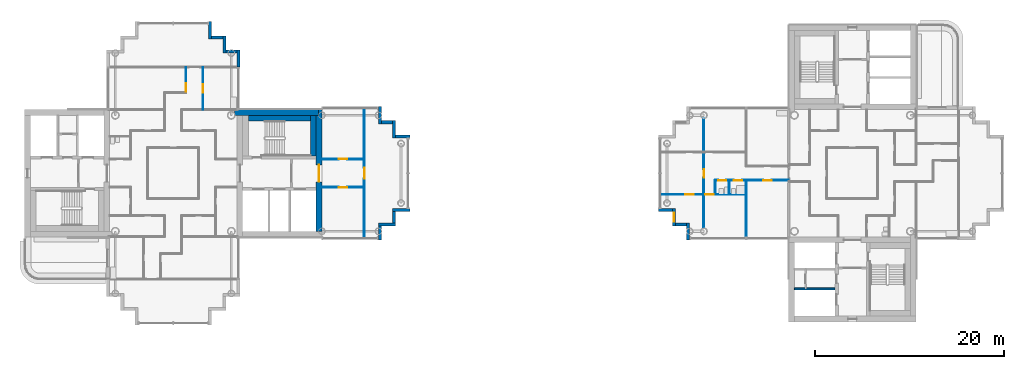
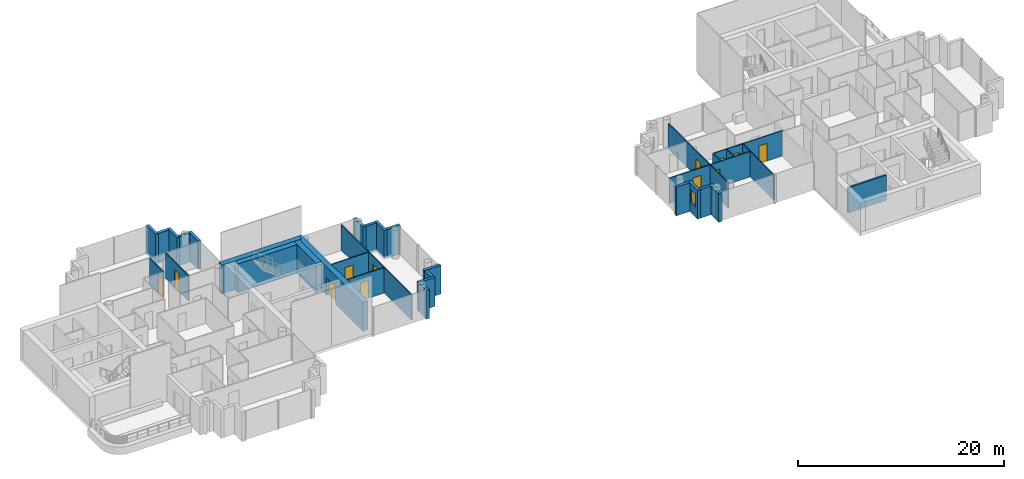
# One storey, part 8 of 18: 33 walls, 12 doors, 1 window, 13 openings.
"""IFC4 building model written with IfcOpenShell, lengths in metres."""

from ifc_helpers import new_model, si_unit, direction, frame, frame_2d, origin, place, context, subcontext, project, spatial, rectangle, extrude, material, layer, layer_set, type_object, element, fill, save


model = new_model("IFC4")

# Units and contexts
model_context = context("Model", 3, precision=1e-05, world=origin(), true_north=direction((0.0, 1.0)))
body_context = subcontext(model_context, "Body", "Model", "MODEL_VIEW")
ifc_project = project(units=[si_unit("LENGTHUNIT", "METRE"), si_unit("AREAUNIT", "SQUARE_METRE"), si_unit("VOLUMEUNIT", "CUBIC_METRE"), si_unit("PLANEANGLEUNIT", "RADIAN"), si_unit("MASSUNIT", "GRAM", prefix="KILO")], contexts=[model_context])

# Site, building, storey
site_placement = place(None, origin())
site = spatial("IfcSite", under=ifc_project, at=site_placement, CompositionType="ELEMENT")
building_placement = place(site_placement, origin())
building = spatial("IfcBuilding", under=site, at=building_placement, Name="Ipe Terrace Towers", CompositionType="ELEMENT")
storey_placement = place(building_placement, frame((0.0, 0.0, 219.800048828125)))
storey = spatial("IfcBuildingStorey", under=building, at=storey_placement, Name="L61", CompositionType="ELEMENT", Elevation=219.800048828125)

# Walls
ifc_material_1 = material(Name="Concrete C40/50 with buff precast cladding", Category="concrete")
ifc_layer_1 = layer(ifc_material_1, 0.320068359375)
ifc_layer_set_1 = layer_set([ifc_layer_1], Name="BUFF CLADDING WALL 320")
wall_type_1 = type_object("IfcWallType", Name="BUFF CLADDING WALL 320", PredefinedType="STANDARD", material=ifc_layer_set_1)
wall_1_placement = place(storey_placement, frame((-14.090087890625, -7.070068359375, -0.300048828125), z_axis=(0.0, 0.0, 1.0), x_axis=(0.0, 1.0, 0.0)))
element("IfcWall", 1, at=wall_1_placement, inside=storey, type_object=wall_type_1, Name="T1-W-L61-17a wall", PredefinedType="STANDARD", context=body_context, shape_type="SweptSolid", body=[
    extrude(rectangle(XDim=1.5, YDim=0.320068359375, at=frame_2d((0.75, 0.0))), origin(), (0.0, 0.0, 1.0), 3.39990234375),
])
wall_2_placement = place(storey_placement, frame((-14.25, -5.409912109375, -0.300048828125), z_axis=(0.0, 0.0, 1.0), x_axis=(1.0, 0.0, 0.0)))
element("IfcWall", 2, at=wall_2_placement, inside=storey, type_object=wall_type_1, Name="T1-W-L61-18a wall", PredefinedType="STANDARD", context=body_context, shape_type="SweptSolid", body=[
    extrude(rectangle(XDim=1.820068359375, YDim=0.320068359375, at=frame_2d((0.91015625, 0.0))), origin(), (0.0, 0.0, 1.0), 3.39990234375),
])
wall_3_placement = place(storey_placement, frame((-12.590087890625, -5.25, -0.300048828125), z_axis=(0.0, 0.0, 1.0), x_axis=(0.0, 1.0, 0.0)))
element("IfcWall", 3, at=wall_3_placement, inside=storey, type_object=wall_type_1, Name="T1-W-L61-19a wall", PredefinedType="STANDARD", context=body_context, shape_type="SweptSolid", body=[
    extrude(rectangle(XDim=1.179931640625, YDim=0.320068359375, at=frame_2d((0.58984375, 0.0))), origin(), (0.0, 0.0, 1.0), 3.39990234375),
])
wall_4_placement = place(storey_placement, frame((-12.75, -3.909912109375, -0.300048828125), z_axis=(0.0, 0.0, 1.0), x_axis=(1.0, 0.0, 0.0)))
element("IfcWall", 4, at=wall_4_placement, inside=storey, type_object=wall_type_1, Name="T1-W-L61-20a wall", PredefinedType="STANDARD", context=body_context, shape_type="SweptSolid", body=[
    extrude(rectangle(XDim=1.820068359375, YDim=0.320068359375, at=frame_2d((0.91015625, 0.0))), origin(), (0.0, 0.0, 1.0), 3.39990234375),
])
wall_5_placement = place(storey_placement, frame((-10.929931640625, 3.909912109375, -0.300048828125), z_axis=(0.0, 0.0, 1.0), x_axis=(-1.0, 0.0, 0.0)))
element("IfcWall", 5, at=wall_5_placement, inside=storey, type_object=wall_type_1, Name="T1-W-L61-22a wall", PredefinedType="STANDARD", context=body_context, shape_type="SweptSolid", body=[
    extrude(rectangle(XDim=1.5, YDim=0.320068359375, at=frame_2d((0.75, 0.0))), origin(), (0.0, 0.0, 1.0), 3.39990234375),
])
wall_6_placement = place(storey_placement, frame((-12.590087890625, 3.75, -0.300048828125), z_axis=(0.0, 0.0, 1.0), x_axis=(0.0, 1.0, 0.0)))
element("IfcWall", 6, at=wall_6_placement, inside=storey, type_object=wall_type_1, Name="T1-W-L61-23a wall", PredefinedType="STANDARD", context=body_context, shape_type="SweptSolid", body=[
    extrude(rectangle(XDim=1.820068359375, YDim=0.320068359375, at=frame_2d((0.91015625, 0.0))), origin(), (0.0, 0.0, 1.0), 3.39990234375),
])
wall_7_placement = place(storey_placement, frame((-12.75, 5.409912109375, -0.300048828125), z_axis=(0.0, 0.0, 1.0), x_axis=(-1.0, 0.0, 0.0)))
element("IfcWall", 7, at=wall_7_placement, inside=storey, type_object=wall_type_1, Name="T1-W-L61-24a wall", PredefinedType="STANDARD", context=body_context, shape_type="SweptSolid", body=[
    extrude(rectangle(XDim=1.179931640625, YDim=0.320068359375, at=frame_2d((0.58984375, 0.0))), origin(), (0.0, 0.0, 1.0), 3.39990234375),
])
for number, where, z_axis, x_axis, name in (
    (8, (-14.090087890625, 5.25, -0.300048828125), (0.0, 0.0, 1.0), (0.0, 1.0, 0.0), "T1-W-L61-25a wall"),
    (9, (-29.090087890625, 11.25, -0.300048828125), (0.0, 0.0, 1.0), (0.0, 1.0, 0.0), "T1-W-L61-29a wall"),
):
    element("IfcWall", number, at=place(storey_placement, frame(where, z_axis=z_axis, x_axis=x_axis)), inside=storey, type_object=wall_type_1, Name=name, PredefinedType="STANDARD", context=body_context, shape_type="SweptSolid", body=[
        extrude(rectangle(XDim=1.820068359375, YDim=0.320068359375, at=frame_2d((0.91015625, 0.0))), origin(), (0.0, 0.0, 1.0), 3.39990234375),
    ])
wall_8_placement = place(storey_placement, frame((-29.25, 12.909912109375, -0.300048828125), z_axis=(0.0, 0.0, 1.0), x_axis=(-1.0, 0.0, 0.0)))
element("IfcWall", 10, at=wall_8_placement, inside=storey, type_object=wall_type_1, Name="T1-W-L61-30a wall", PredefinedType="STANDARD", context=body_context, shape_type="SweptSolid", body=[
    extrude(rectangle(XDim=1.179931640625, YDim=0.320068359375, at=frame_2d((0.58984375, 0.0))), origin(), (0.0, 0.0, 1.0), 3.39990234375),
])
wall_9_placement = place(storey_placement, frame((-30.590087890625, 12.75, -0.300048828125), z_axis=(0.0, 0.0, 1.0), x_axis=(0.0, 1.0, 0.0)))
element("IfcWall", 11, at=wall_9_placement, inside=storey, type_object=wall_type_1, Name="T1-W-L61-31a wall", PredefinedType="STANDARD", context=body_context, shape_type="SweptSolid", body=[
    extrude(rectangle(XDim=1.820068359375, YDim=0.320068359375, at=frame_2d((0.91015625, 0.0))), origin(), (0.0, 0.0, 1.0), 3.39990234375),
])
wall_10_placement = place(storey_placement, frame((-30.75, 14.409912109375, -0.300048828125), z_axis=(0.0, 0.0, 1.0), x_axis=(-1.0, 0.0, 0.0)))
element("IfcWall", 12, at=wall_10_placement, inside=storey, type_object=wall_type_1, Name="T1-W-L61-32a wall", PredefinedType="STANDARD", context=body_context, shape_type="SweptSolid", body=[
    extrude(rectangle(XDim=1.179931640625, YDim=0.320068359375, at=frame_2d((0.58984375, 0.0))), origin(), (0.0, 0.0, 1.0), 3.39990234375),
])
wall_11_placement = place(storey_placement, frame((-32.090087890625, 14.25, -0.300048828125), z_axis=(0.0, 0.0, 1.0), x_axis=(0.0, 1.0, 0.0)))
element("IfcWall", 13, at=wall_11_placement, inside=storey, type_object=wall_type_1, Name="T1-W-L61-33a wall", PredefinedType="STANDARD", context=body_context, shape_type="SweptSolid", body=[
    extrude(rectangle(XDim=1.820068359375, YDim=0.320068359375, at=frame_2d((0.91015625, 0.0))), origin(), (0.0, 0.0, 1.0), 3.39990234375),
])
wall_12_placement = place(storey_placement, frame((15.429931640625, -3.909912109375, -0.300048828125), z_axis=(0.0, 0.0, 1.0), x_axis=(1.0, 0.0, 0.0)))
element("IfcWall", 14, at=wall_12_placement, inside=storey, type_object=wall_type_1, Name="T2-W-L61-27a wall", PredefinedType="STANDARD", context=body_context, shape_type="SweptSolid", body=[
    extrude(rectangle(XDim=1.5, YDim=0.320068359375, at=frame_2d((0.75, 0.0))), origin(), (0.0, 0.0, 1.0), 3.39990234375),
])

# Wall, opening, window
wall_13_placement = place(storey_placement, frame((17.090087890625, -3.75, -0.300048828125), z_axis=(0.0, 0.0, 1.0), x_axis=(0.0, -1.0, 0.0)))
wall_13 = element("IfcWall", 15, at=wall_13_placement, inside=storey, type_object=wall_type_1, Name="T2-W-L61-28a wall", PredefinedType="STANDARD", context=body_context, shape_type="SweptSolid", body=[
    extrude(rectangle(XDim=1.820068359375, YDim=0.320068359375, at=frame_2d((0.91015625, 0.0))), origin(), (0.0, 0.0, 1.0), 3.39990234375),
])
opening_1_placement = place(wall_13_placement, frame((0.409912109375, 0.0, 1.199951171875)))
opening_1 = element("IfcOpeningElement", 16, at=opening_1_placement, cuts=wall_13, Name="Opening T2-W-05-L61-01", PredefinedType="OPENING", context=body_context, shape_type="SweptSolid", body=[
    extrude(rectangle(XDim=1.0, YDim=1.5, at=frame_2d((0.5, 0.75))), frame((0.0, 0.169921875, 0.0), z_axis=(0.0, -1.0, 0.0), x_axis=(1.0, 0.0, 0.0)), (0.0, 0.0, 1.0), 0.340087890625),
])
ifc_material_2 = material(Name="Glass, clear laminated", Category="glass")
window_type = type_object("IfcWindowType", Name="DWELLING WINDOW 1000 x 1500", PartitioningType="SINGLE_PANEL", PredefinedType="WINDOW", material=ifc_material_2)
window_placement = place(opening_1_placement, origin())
window = element("IfcWindow", 17, at=window_placement, inside=storey, type_object=window_type, Name="W-05 window", OverallHeight=1.5, OverallWidth=1.0, PartitioningType="SINGLE_PANEL", PredefinedType="WINDOW", context=body_context, shape_type="SweptSolid", body=[
    extrude(rectangle(XDim=1.0, YDim=1.5, at=frame_2d((0.5, 0.75))), frame((0.0, 0.030029296875, 0.0), z_axis=(0.0, -1.0, 0.0), x_axis=(1.0, 0.0, 0.0)), (0.0, 0.0, 1.0), 0.06005859375),
])
fill(opening_1, window)

# Walls
wall_14_placement = place(storey_placement, frame((17.25, -5.409912109375, -0.300048828125), z_axis=(0.0, 0.0, 1.0), x_axis=(1.0, 0.0, 0.0)))
element("IfcWall", 18, at=wall_14_placement, inside=storey, type_object=wall_type_1, Name="T2-W-L61-29a wall", PredefinedType="STANDARD", context=body_context, shape_type="SweptSolid", body=[
    extrude(rectangle(XDim=1.179931640625, YDim=0.320068359375, at=frame_2d((0.58984375, 0.0))), origin(), (0.0, 0.0, 1.0), 3.39990234375),
])
wall_15_placement = place(storey_placement, frame((18.590087890625, -5.25, -0.300048828125), z_axis=(0.0, 0.0, 1.0), x_axis=(0.0, -1.0, 0.0)))
element("IfcWall", 19, at=wall_15_placement, inside=storey, type_object=wall_type_1, Name="T2-W-L61-30a wall", PredefinedType="STANDARD", context=body_context, shape_type="SweptSolid", body=[
    extrude(rectangle(XDim=1.820068359375, YDim=0.320068359375, at=frame_2d((0.91015625, 0.0))), origin(), (0.0, 0.0, 1.0), 3.39990234375),
])

# Wall, opening, door
ifc_material_3 = material(Name="Gypsum board partition", Category="plasterboard")
ifc_layer_2 = layer(ifc_material_3, 0.10009765625)
ifc_layer_set_2 = layer_set([ifc_layer_2], Name="Gypsum board partition 100 mm")
wall_type_2 = type_object("IfcWallType", Name="Gypsum board partition 100 mm", PredefinedType="PARTITIONING", material=ifc_layer_set_2)
wall_16_placement = place(storey_placement, frame((-34.64990234375, 8.550048828125, 0.0), z_axis=(0.0, 0.0, 1.0), x_axis=(0.0, 1.0, 0.0)))
wall_16 = element("IfcWall", 20, at=wall_16_placement, inside=storey, type_object=wall_type_2, Name="Gypsum board partition T1 L61 W10", PredefinedType="PARTITIONING", context=body_context, shape_type="SweptSolid", body=[
    extrude(rectangle(XDim=2.699951171875, YDim=0.10009765625, at=frame_2d((1.35009765625, 0.0))), origin(), (0.0, 0.0, 1.0), 3.0),
])
opening_2_placement = place(wall_16_placement, frame((0.070068359375, 0.0, 0.0)))
opening_2 = element("IfcOpeningElement", 21, at=opening_2_placement, cuts=wall_16, Name="Opening T1-Z4F-09", PredefinedType="OPENING", context=body_context, shape_type="SweptSolid", body=[
    extrude(rectangle(XDim=0.89990234375, YDim=2.10009765625, at=frame_2d((0.449951171875, 1.050048828125))), frame((0.0, 0.06005859375, 0.0), z_axis=(0.0, -1.0, 0.0), x_axis=(1.0, 0.0, 0.0)), (0.0, 0.0, 1.0), 0.1201171875),
])
ifc_material_4 = material(Name="Timber door leaf", Category="wood")
door_type_1 = type_object("IfcDoorType", Name="Lounge door 900 x 2100", OperationType="NOTDEFINED", PredefinedType="DOOR", material=ifc_material_4)
door_1_placement = place(opening_2_placement, origin())
door_1 = element("IfcDoor", 22, at=door_1_placement, inside=storey, type_object=door_type_1, Name="Lounge door T1-Z4F-09", OperationType="SINGLE_SWING_RIGHT", OverallHeight=2.10009765625, OverallWidth=0.89990234375, PredefinedType="DOOR", context=body_context, shape_type="SweptSolid", body=[
    extrude(rectangle(XDim=0.89990234375, YDim=2.10009765625, at=frame_2d((0.449951171875, 1.050048828125))), frame((0.0, 0.02490234375, 0.0), z_axis=(0.0, -1.0, 0.0), x_axis=(1.0, 0.0, 0.0)), (0.0, 0.0, 1.0), 0.050048828125),
])
fill(opening_2, door_1)

wall_17_placement = place(storey_placement, frame((-32.85009765625, 6.75, 0.0), z_axis=(0.0, 0.0, 1.0), x_axis=(0.0, 1.0, 0.0)))
wall_17 = element("IfcWall", 23, at=wall_17_placement, inside=storey, type_object=wall_type_2, Name="Gypsum board partition T1 L61 W12", PredefinedType="PARTITIONING", context=body_context, shape_type="SweptSolid", body=[
    extrude(rectangle(XDim=4.5, YDim=0.10009765625, at=frame_2d((2.25, 0.0))), origin(), (0.0, 0.0, 1.0), 3.0),
])
opening_3_placement = place(wall_17_placement, frame((1.800048828125, 0.0, 0.0)))
opening_3 = element("IfcOpeningElement", 24, at=opening_3_placement, cuts=wall_17, Name="Opening T1-Z4F-10", PredefinedType="OPENING", context=body_context, shape_type="SweptSolid", body=[
    extrude(rectangle(XDim=0.89990234375, YDim=2.10009765625, at=frame_2d((0.449951171875, 1.050048828125))), frame((0.0, 0.06005859375, 0.0), z_axis=(0.0, -1.0, 0.0), x_axis=(1.0, 0.0, 0.0)), (0.0, 0.0, 1.0), 0.1201171875),
])
door_2_placement = place(opening_3_placement, origin())
door_2 = element("IfcDoor", 25, at=door_2_placement, inside=storey, type_object=door_type_1, Name="Lounge door T1-Z4F-10", OperationType="SINGLE_SWING_RIGHT", OverallHeight=2.10009765625, OverallWidth=0.89990234375, PredefinedType="DOOR", context=body_context, shape_type="SweptSolid", body=[
    extrude(rectangle(XDim=0.89990234375, YDim=2.10009765625, at=frame_2d((0.449951171875, 1.050048828125))), frame((0.0, 0.02490234375, 0.0), z_axis=(0.0, -1.0, 0.0), x_axis=(1.0, 0.0, 0.0)), (0.0, 0.0, 1.0), 0.050048828125),
])
fill(opening_3, door_2)

wall_18_placement = place(storey_placement, frame((-15.75, -6.85009765625, 0.0), z_axis=(0.0, 0.0, 1.0), x_axis=(0.0, 1.0, 0.0)))
wall_18 = element("IfcWall", 26, at=wall_18_placement, inside=storey, type_object=wall_type_2, Name="Gypsum board partition T1 L61 W15", PredefinedType="PARTITIONING", context=body_context, shape_type="SweptSolid", body=[
    extrude(rectangle(XDim=13.7001953125, YDim=0.10009765625, at=frame_2d((6.85009765625, 0.0))), origin(), (0.0, 0.0, 1.0), 3.0),
])
opening_4_placement = place(wall_18_placement, frame((6.25, 0.0, 0.0)))
opening_4 = element("IfcOpeningElement", 27, at=opening_4_placement, cuts=wall_18, Name="Opening T1-Z4F-17", PredefinedType="OPENING", context=body_context, shape_type="SweptSolid", body=[
    extrude(rectangle(XDim=1.199951171875, YDim=2.10009765625, at=frame_2d((0.60009765625, 1.050048828125))), frame((0.0, 0.06005859375, 0.0), z_axis=(0.0, -1.0, 0.0), x_axis=(1.0, 0.0, 0.0)), (0.0, 0.0, 1.0), 0.1201171875),
])
ifc_material_5 = material(Name="Timber door leaf", Category="wood")
door_type_2 = type_object("IfcDoorType", Name="Lounge door 1200 x 2100", OperationType="NOTDEFINED", PredefinedType="DOOR", material=ifc_material_5)
door_3_placement = place(opening_4_placement, origin())
door_3 = element("IfcDoor", 28, at=door_3_placement, inside=storey, type_object=door_type_2, Name="Lounge door T1-Z4F-17", OperationType="SINGLE_SWING_RIGHT", OverallHeight=2.10009765625, OverallWidth=1.199951171875, PredefinedType="DOOR", context=body_context, shape_type="SweptSolid", body=[
    extrude(rectangle(XDim=1.199951171875, YDim=2.10009765625, at=frame_2d((0.60009765625, 1.050048828125))), frame((0.0, 0.02490234375, 0.0), z_axis=(0.0, -1.0, 0.0), x_axis=(1.0, 0.0, 0.0)), (0.0, 0.0, 1.0), 0.050048828125),
])
fill(opening_4, door_3)

wall_19_placement = place(storey_placement, frame((-20.25, -1.5, 0.0), z_axis=(0.0, 0.0, 1.0), x_axis=(1.0, 0.0, 0.0)))
wall_19 = element("IfcWall", 29, at=wall_19_placement, inside=storey, type_object=wall_type_2, Name="Gypsum board partition T1 L61 W25", PredefinedType="PARTITIONING", context=body_context, shape_type="SweptSolid", body=[
    extrude(rectangle(XDim=4.5, YDim=0.10009765625, at=frame_2d((2.25, 0.0))), origin(), (0.0, 0.0, 1.0), 3.0),
])
opening_5_placement = place(wall_19_placement, frame((1.800048828125, 0.0, 0.0)))
opening_5 = element("IfcOpeningElement", 30, at=opening_5_placement, cuts=wall_19, Name="Opening T1-Z4F-16", PredefinedType="OPENING", context=body_context, shape_type="SweptSolid", body=[
    extrude(rectangle(XDim=0.89990234375, YDim=2.10009765625, at=frame_2d((0.449951171875, 1.050048828125))), frame((0.0, 0.06005859375, 0.0), z_axis=(0.0, -1.0, 0.0), x_axis=(1.0, 0.0, 0.0)), (0.0, 0.0, 1.0), 0.1201171875),
])
door_4_placement = place(opening_5_placement, origin())
door_4 = element("IfcDoor", 31, at=door_4_placement, inside=storey, type_object=door_type_1, Name="Lounge door T1-Z4F-16", OperationType="SINGLE_SWING_RIGHT", OverallHeight=2.10009765625, OverallWidth=0.89990234375, PredefinedType="DOOR", context=body_context, shape_type="SweptSolid", body=[
    extrude(rectangle(XDim=0.89990234375, YDim=2.10009765625, at=frame_2d((0.449951171875, 1.050048828125))), frame((0.0, 0.02490234375, 0.0), z_axis=(0.0, -1.0, 0.0), x_axis=(1.0, 0.0, 0.0)), (0.0, 0.0, 1.0), 0.050048828125),
])
fill(opening_5, door_4)

wall_20_placement = place(storey_placement, frame((-20.25, 1.5, 0.0), z_axis=(0.0, 0.0, 1.0), x_axis=(1.0, 0.0, 0.0)))
wall_20 = element("IfcWall", 32, at=wall_20_placement, inside=storey, type_object=wall_type_2, Name="Gypsum board partition T1 L61 W28", PredefinedType="PARTITIONING", context=body_context, shape_type="SweptSolid", body=[
    extrude(rectangle(XDim=4.5, YDim=0.10009765625, at=frame_2d((2.25, 0.0))), origin(), (0.0, 0.0, 1.0), 3.0),
])
opening_6_placement = place(wall_20_placement, frame((1.800048828125, 0.0, 0.0)))
opening_6 = element("IfcOpeningElement", 33, at=opening_6_placement, cuts=wall_20, Name="Opening T1-Z4F-15", PredefinedType="OPENING", context=body_context, shape_type="SweptSolid", body=[
    extrude(rectangle(XDim=0.89990234375, YDim=2.10009765625, at=frame_2d((0.449951171875, 1.050048828125))), frame((0.0, 0.06005859375, 0.0), z_axis=(0.0, -1.0, 0.0), x_axis=(1.0, 0.0, 0.0)), (0.0, 0.0, 1.0), 0.1201171875),
])
door_5_placement = place(opening_6_placement, origin())
door_5 = element("IfcDoor", 34, at=door_5_placement, inside=storey, type_object=door_type_1, Name="Lounge door T1-Z4F-15", OperationType="SINGLE_SWING_LEFT", OverallHeight=2.10009765625, OverallWidth=0.89990234375, PredefinedType="DOOR", context=body_context, shape_type="SweptSolid", body=[
    extrude(rectangle(XDim=0.89990234375, YDim=2.10009765625, at=frame_2d((0.449951171875, 1.050048828125))), frame((0.0, 0.02490234375, 0.0), z_axis=(0.0, -1.0, 0.0), x_axis=(1.0, 0.0, 0.0)), (0.0, 0.0, 1.0), 0.050048828125),
])
fill(opening_6, door_5)

# Wall, openings, doors
wall_21_placement = place(storey_placement, frame((24.75, -2.25, 0.0), z_axis=(0.0, 0.0, 1.0), x_axis=(-1.0, 0.0, 0.0)))
wall_21 = element("IfcWall", 35, at=wall_21_placement, inside=storey, type_object=wall_type_2, Name="Gypsum board partition T2 L61 W04", PredefinedType="PARTITIONING", context=body_context, shape_type="SweptSolid", body=[
    extrude(rectangle(XDim=9.10009765625, YDim=0.10009765625, at=frame_2d((4.550048828125, 0.0))), origin(), (0.0, 0.0, 1.0), 3.0),
])
opening_7_placement = place(wall_21_placement, frame((3.449951171875, 0.0, 0.0)))
opening_7 = element("IfcOpeningElement", 36, at=opening_7_placement, cuts=wall_21, Name="Opening T2-Z4F-15", PredefinedType="OPENING", context=body_context, shape_type="SweptSolid", body=[
    extrude(rectangle(XDim=0.89990234375, YDim=2.10009765625, at=frame_2d((0.449951171875, 1.050048828125))), frame((0.0, 0.06005859375, 0.0), z_axis=(0.0, -1.0, 0.0), x_axis=(1.0, 0.0, 0.0)), (0.0, 0.0, 1.0), 0.1201171875),
])
opening_8_placement = place(wall_21_placement, frame((5.550048828125, 0.0, 0.0)))
opening_8 = element("IfcOpeningElement", 37, at=opening_8_placement, cuts=wall_21, Name="Opening T2-Z4F-18", PredefinedType="OPENING", context=body_context, shape_type="SweptSolid", body=[
    extrude(rectangle(XDim=0.89990234375, YDim=2.10009765625, at=frame_2d((0.449951171875, 1.050048828125))), frame((0.0, 0.06005859375, 0.0), z_axis=(0.0, -1.0, 0.0), x_axis=(1.0, 0.0, 0.0)), (0.0, 0.0, 1.0), 0.1201171875),
])
ifc_material_6 = material(Name="Timber door leaf", Category="wood")
door_type_3 = type_object("IfcDoorType", Name="Bedroom door 900 x 2100", OperationType="NOTDEFINED", PredefinedType="DOOR", material=ifc_material_6)
door_6_placement = place(opening_7_placement, origin())
door_6 = element("IfcDoor", 38, at=door_6_placement, inside=storey, type_object=door_type_3, Name="Bedroom door T2-Z4F-15", OperationType="SINGLE_SWING_RIGHT", OverallHeight=2.10009765625, OverallWidth=0.89990234375, PredefinedType="DOOR", context=body_context, shape_type="SweptSolid", body=[
    extrude(rectangle(XDim=0.89990234375, YDim=2.10009765625, at=frame_2d((0.449951171875, 1.050048828125))), frame((0.0, 0.02490234375, 0.0), z_axis=(0.0, -1.0, 0.0), x_axis=(1.0, 0.0, 0.0)), (0.0, 0.0, 1.0), 0.050048828125),
])
fill(opening_7, door_6)
door_7_placement = place(opening_8_placement, origin())
door_7 = element("IfcDoor", 39, at=door_7_placement, inside=storey, type_object=door_type_3, Name="Bedroom door T2-Z4F-18", OperationType="SINGLE_SWING_LEFT", OverallHeight=2.10009765625, OverallWidth=0.89990234375, PredefinedType="DOOR", context=body_context, shape_type="SweptSolid", body=[
    extrude(rectangle(XDim=0.89990234375, YDim=2.10009765625, at=frame_2d((0.449951171875, 1.050048828125))), frame((0.0, 0.02490234375, 0.0), z_axis=(0.0, -1.0, 0.0), x_axis=(1.0, 0.0, 0.0)), (0.0, 0.0, 1.0), 0.050048828125),
])
fill(opening_8, door_7)

wall_22_placement = place(storey_placement, frame((29.25, -0.75, 0.0), z_axis=(0.0, 0.0, 1.0), x_axis=(-1.0, 0.0, 0.0)))
wall_22 = element("IfcWall", 40, at=wall_22_placement, inside=storey, type_object=wall_type_2, Name="Gypsum board partition T2 L61 W07", PredefinedType="PARTITIONING", context=body_context, shape_type="SweptSolid", body=[
    extrude(rectangle(XDim=7.800048828125, YDim=0.10009765625, at=frame_2d((3.89990234375, 0.0))), origin(), (0.0, 0.0, 1.0), 3.0),
])
opening_9_placement = place(wall_22_placement, frame((1.800048828125, 0.0, 0.0)))
opening_9 = element("IfcOpeningElement", 41, at=opening_9_placement, cuts=wall_22, Name="Opening T2-Z4F-10", PredefinedType="OPENING", context=body_context, shape_type="SweptSolid", body=[
    extrude(rectangle(XDim=0.89990234375, YDim=2.10009765625, at=frame_2d((0.449951171875, 1.050048828125))), frame((0.0, 0.06005859375, 0.0), z_axis=(0.0, -1.0, 0.0), x_axis=(1.0, 0.0, 0.0)), (0.0, 0.0, 1.0), 0.1201171875),
])
opening_10_placement = place(wall_22_placement, frame((4.949951171875, 0.0, 0.0)))
opening_10 = element("IfcOpeningElement", 42, at=opening_10_placement, cuts=wall_22, Name="Opening T2-Z4F-13", PredefinedType="OPENING", context=body_context, shape_type="SweptSolid", body=[
    extrude(rectangle(XDim=0.89990234375, YDim=2.10009765625, at=frame_2d((0.449951171875, 1.050048828125))), frame((0.0, 0.06005859375, 0.0), z_axis=(0.0, -1.0, 0.0), x_axis=(1.0, 0.0, 0.0)), (0.0, 0.0, 1.0), 0.1201171875),
])
opening_11_placement = place(wall_22_placement, frame((6.60009765625, 0.0, 0.0)))
opening_11 = element("IfcOpeningElement", 43, at=opening_11_placement, cuts=wall_22, Name="Opening T2-Z4F-14", PredefinedType="OPENING", context=body_context, shape_type="SweptSolid", body=[
    extrude(rectangle(XDim=0.89990234375, YDim=2.10009765625, at=frame_2d((0.449951171875, 1.050048828125))), frame((0.0, 0.06005859375, 0.0), z_axis=(0.0, -1.0, 0.0), x_axis=(1.0, 0.0, 0.0)), (0.0, 0.0, 1.0), 0.1201171875),
])
ifc_material_7 = material(Name="Timber door leaf", Category="wood")
door_type_4 = type_object("IfcDoorType", Name="Bathroom door 900 x 2100", OperationType="NOTDEFINED", PredefinedType="DOOR", material=ifc_material_7)
door_8_placement = place(opening_10_placement, origin())
door_8 = element("IfcDoor", 44, at=door_8_placement, inside=storey, type_object=door_type_4, Name="Bathroom door T2-Z4F-13", OperationType="SINGLE_SWING_LEFT", OverallHeight=2.10009765625, OverallWidth=0.89990234375, PredefinedType="DOOR", context=body_context, shape_type="SweptSolid", body=[
    extrude(rectangle(XDim=0.89990234375, YDim=2.10009765625, at=frame_2d((0.449951171875, 1.050048828125))), frame((0.0, 0.02490234375, 0.0), z_axis=(0.0, -1.0, 0.0), x_axis=(1.0, 0.0, 0.0)), (0.0, 0.0, 1.0), 0.050048828125),
])
fill(opening_10, door_8)
door_9_placement = place(opening_11_placement, origin())
door_9 = element("IfcDoor", 45, at=door_9_placement, inside=storey, type_object=door_type_4, Name="Bathroom door T2-Z4F-14", OperationType="SINGLE_SWING_LEFT", OverallHeight=2.10009765625, OverallWidth=0.89990234375, PredefinedType="DOOR", context=body_context, shape_type="SweptSolid", body=[
    extrude(rectangle(XDim=0.89990234375, YDim=2.10009765625, at=frame_2d((0.449951171875, 1.050048828125))), frame((0.0, 0.02490234375, 0.0), z_axis=(0.0, -1.0, 0.0), x_axis=(1.0, 0.0, 0.0)), (0.0, 0.0, 1.0), 0.050048828125),
])
fill(opening_11, door_9)
door_10_placement = place(opening_9_placement, origin())
door_10 = element("IfcDoor", 46, at=door_10_placement, inside=storey, type_object=door_type_1, Name="Lounge door T2-Z4F-10", OperationType="SINGLE_SWING_RIGHT", OverallHeight=2.10009765625, OverallWidth=0.89990234375, PredefinedType="DOOR", context=body_context, shape_type="SweptSolid", body=[
    extrude(rectangle(XDim=0.89990234375, YDim=2.10009765625, at=frame_2d((0.449951171875, 1.050048828125))), frame((0.0, 0.02490234375, 0.0), z_axis=(0.0, -1.0, 0.0), x_axis=(1.0, 0.0, 0.0)), (0.0, 0.0, 1.0), 0.050048828125),
])
fill(opening_9, door_10)

# Walls
wall_23_placement = place(storey_placement, frame((24.75, -6.85009765625, 0.0), z_axis=(0.0, 0.0, 1.0), x_axis=(0.0, 1.0, 0.0)))
element("IfcWall", 47, at=wall_23_placement, inside=storey, type_object=wall_type_2, Name="Gypsum board partition T2 L61 W33", PredefinedType="PARTITIONING", context=body_context, shape_type="SweptSolid", body=[
    extrude(rectangle(XDim=6.10009765625, YDim=0.10009765625, at=frame_2d((3.050048828125, 0.0))), origin(), (0.0, 0.0, 1.0), 3.0),
])
for number, where, z_axis, x_axis, name in (
    (48, (22.949951171875, -2.25, 0.0), (0.0, 0.0, 1.0), (0.0, 1.0, 0.0), "Gypsum board partition T2 L61 W35"),
    (49, (21.449951171875, -2.25, 0.0), (0.0, 0.0, 1.0), (0.0, 1.0, 0.0), "Gypsum board partition T2 L61 W36"),
):
    element("IfcWall", number, at=place(storey_placement, frame(where, z_axis=z_axis, x_axis=x_axis)), inside=storey, type_object=wall_type_2, Name=name, PredefinedType="PARTITIONING", context=body_context, shape_type="SweptSolid", body=[
        extrude(rectangle(XDim=1.5, YDim=0.10009765625, at=frame_2d((0.75, 0.0))), origin(), (0.0, 0.0, 1.0), 3.0),
    ])

# Wall, opening, door
wall_24_placement = place(storey_placement, frame((20.25, -5.800048828125, 0.0), z_axis=(0.0, 0.0, 1.0), x_axis=(0.0, 1.0, 0.0)))
wall_24 = element("IfcWall", 50, at=wall_24_placement, inside=storey, type_object=wall_type_2, Name="Gypsum board partition T2 L61 W37", PredefinedType="PARTITIONING", context=body_context, shape_type="SweptSolid", body=[
    extrude(rectangle(XDim=11.60009765625, YDim=0.10009765625, at=frame_2d((5.800048828125, 0.0))), origin(), (0.0, 0.0, 1.0), 3.0),
])
opening_12_placement = place(wall_24_placement, frame((5.35009765625, 0.0, 0.0)))
opening_12 = element("IfcOpeningElement", 51, at=opening_12_placement, cuts=wall_24, Name="Opening T2-Z4F-17", PredefinedType="OPENING", context=body_context, shape_type="SweptSolid", body=[
    extrude(rectangle(XDim=0.89990234375, YDim=2.10009765625, at=frame_2d((0.449951171875, 1.050048828125))), frame((0.0, 0.06005859375, 0.0), z_axis=(0.0, -1.0, 0.0), x_axis=(1.0, 0.0, 0.0)), (0.0, 0.0, 1.0), 0.1201171875),
])
door_11_placement = place(opening_12_placement, origin())
door_11 = element("IfcDoor", 52, at=door_11_placement, inside=storey, type_object=door_type_1, Name="Lounge door T2-Z4F-17", OperationType="SINGLE_SWING_LEFT", OverallHeight=2.10009765625, OverallWidth=0.89990234375, PredefinedType="DOOR", context=body_context, shape_type="SweptSolid", body=[
    extrude(rectangle(XDim=0.89990234375, YDim=2.10009765625, at=frame_2d((0.449951171875, 1.050048828125))), frame((0.0, 0.02490234375, 0.0), z_axis=(0.0, -1.0, 0.0), x_axis=(1.0, 0.0, 0.0)), (0.0, 0.0, 1.0), 0.050048828125),
])
fill(opening_12, door_11)

# Walls
ifc_material_8 = material(Name="Gypsum board party wall", Category="plasterboard")
ifc_layer_3 = layer(ifc_material_8, 0.199951171875)
ifc_layer_set_3 = layer_set([ifc_layer_3], Name="Gypsum board party wall 200 mm")
wall_type_3 = type_object("IfcWallType", Name="Gypsum board party wall 200 mm", PredefinedType="SOLIDWALL", material=ifc_layer_set_3)
wall_25_placement = place(storey_placement, frame((29.85009765625, -12.25, 0.0), z_axis=(0.0, 0.0, 1.0), x_axis=(1.0, 0.0, 0.0)))
element("IfcWall", 53, at=wall_25_placement, inside=storey, type_object=wall_type_3, Name="Gypsum board party wall T2 L61 t2c2-shaft-div2", PredefinedType="SOLIDWALL", context=body_context, shape_type="SweptSolid", body=[
    extrude(rectangle(XDim=4.2998046875, YDim=0.199951171875, at=frame_2d((2.14990234375, 0.0))), origin(), (0.0, 0.0, 1.0), 3.0),
])
ifc_material_9 = material(Name="Concrete C40/50", Category="concrete")
ifc_layer_4 = layer(ifc_material_9, 0.60009765625)
ifc_layer_set_4 = layer_set([ifc_layer_4], Name="RW600 CORE INFILL WALL 600 C40-50")
wall_type_4 = type_object("IfcWallType", Name="RW600 CORE INFILL WALL 600 C40-50", PredefinedType="SHEAR", material=ifc_layer_set_4)
wall_26_placement = place(storey_placement, frame((-21.14990234375, 1.85009765625, 0.0), z_axis=(0.0, 0.0, 1.0), x_axis=(0.0, 1.0, 0.0)))
element("IfcWall", 54, at=wall_26_placement, inside=storey, type_object=wall_type_4, Name="Core infill wall T1-C1-far", PredefinedType="SHEAR", context=body_context, shape_type="SweptSolid", body=[
    extrude(rectangle(XDim=4.2998046875, YDim=0.60009765625, at=frame_2d((2.14990234375, 0.0))), origin(), (0.0, 0.0, 1.0), 3.39990234375),
])
wall_27_placement = place(storey_placement, frame((-28.050048828125, 5.85009765625, 0.0), z_axis=(0.0, 0.0, 1.0), x_axis=(1.0, 0.0, 0.0)))
element("IfcWall", 55, at=wall_27_placement, inside=storey, type_object=wall_type_4, Name="Core infill wall T1-C1-back", PredefinedType="SHEAR", context=body_context, shape_type="SweptSolid", body=[
    extrude(rectangle(XDim=6.60009765625, YDim=0.60009765625, at=frame_2d((3.300048828125, 0.0))), origin(), (0.0, 0.0, 1.0), 3.39990234375),
])

# Wall, opening, door
ifc_material_10 = material(Name="Concrete C40/50", Category="concrete")
ifc_layer_5 = layer(ifc_material_10, 0.60009765625)
ifc_layer_set_5 = layer_set([ifc_layer_5], Name="RW600 CORE WALL 600 C40-50")
wall_type_5 = type_object("IfcWallType", Name="RW600 CORE WALL 600 C40-50", PredefinedType="SHEAR", material=ifc_layer_set_5)
wall_28_placement = place(storey_placement, frame((-20.550048828125, -6.14990234375, 0.0), z_axis=(0.0, 0.0, 1.0), x_axis=(0.0, 1.0, 0.0)))
wall_28 = element("IfcWall", 56, at=wall_28_placement, inside=storey, type_object=wall_type_5, Name="Core wall T1-C1-Z4-W02", PredefinedType="SHEAR", context=body_context, shape_type="SweptSolid", body=[
    extrude(rectangle(XDim=12.89990234375, YDim=0.60009765625, at=frame_2d((6.449951171875, 0.0))), origin(), (0.0, 0.0, 1.0), 3.39990234375),
])
opening_13_placement = place(wall_28_placement, frame((5.25, 0.0, 0.0)))
opening_13 = element("IfcOpeningElement", 57, at=opening_13_placement, cuts=wall_28, Name="Opening T1C1-FD", PredefinedType="OPENING", context=body_context, shape_type="SweptSolid", body=[
    extrude(rectangle(XDim=1.800048828125, YDim=2.10009765625, at=frame_2d((0.89990234375, 1.050048828125))), frame((0.0, 0.31005859375, 0.0), z_axis=(0.0, -1.0, 0.0), x_axis=(1.0, 0.0, 0.0)), (0.0, 0.0, 1.0), 0.6201171875),
])
ifc_material_11 = material(Name="Fire-rated timber door leaf", Category="wood")
door_type_5 = type_object("IfcDoorType", Name="Fire door 1800 x 2100 FD30S", OperationType="NOTDEFINED", PredefinedType="DOOR", material=ifc_material_11)
door_12_placement = place(opening_13_placement, origin())
door_12 = element("IfcDoor", 58, at=door_12_placement, inside=storey, type_object=door_type_5, Name="Fire door T1C1-FD", OperationType="SINGLE_SWING_LEFT", OverallHeight=2.10009765625, OverallWidth=1.800048828125, PredefinedType="DOOR", context=body_context, shape_type="SweptSolid", body=[
    extrude(rectangle(XDim=1.800048828125, YDim=2.10009765625, at=frame_2d((0.89990234375, 1.050048828125))), frame((0.0, 0.02490234375, 0.0), z_axis=(0.0, -1.0, 0.0), x_axis=(1.0, 0.0, 0.0)), (0.0, 0.0, 1.0), 0.050048828125),
])
fill(opening_13, door_12)

# Wall
wall_29_placement = place(storey_placement, frame((-20.60205078125, 6.449951171875, 0.0), z_axis=(0.0, 0.0, 1.0), x_axis=(-1.0, 0.0, 0.0)))
element("IfcWall", 59, at=wall_29_placement, inside=storey, type_object=wall_type_5, Name="Core wall T1-C1-Z4-W03", PredefinedType="SHEAR", context=body_context, shape_type="SweptSolid", body=[
    extrude(rectangle(XDim=8.89599609375, YDim=0.60009765625, at=frame_2d((4.447998046875, 0.0))), origin(), (0.0, 0.0, 1.0), 3.39990234375),
])

save(model, "model.ifc")
